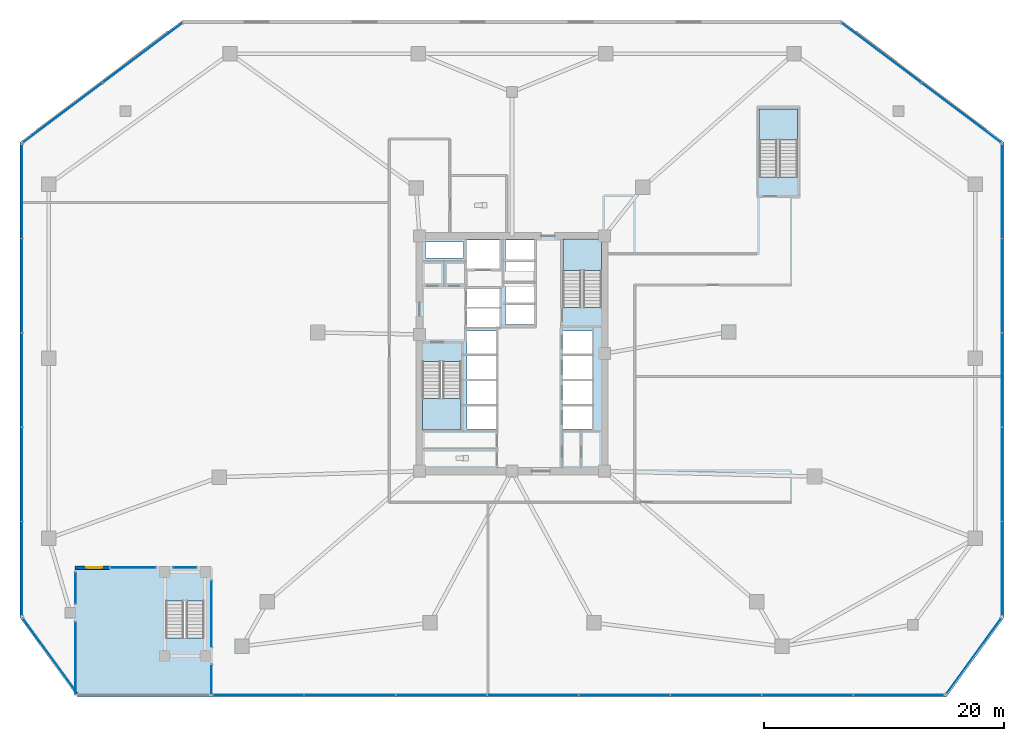
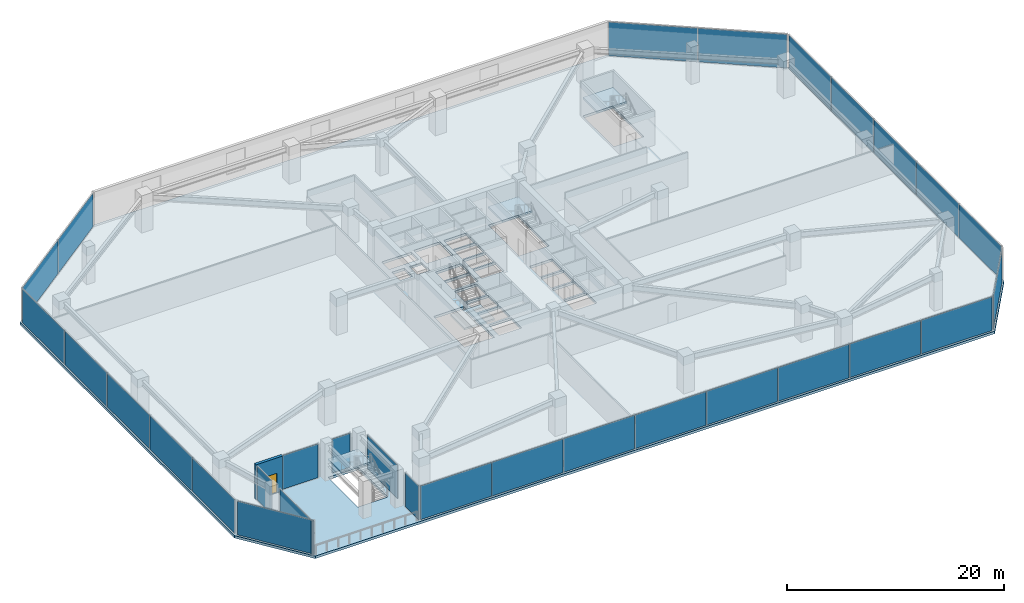
# One storey, part 10 of 21: 30 plates, 5 slabs, 1 door, 1 wall, 1 opening, 17 elements without a shape of their own.
"""IFC4 building model written with IfcOpenShell, lengths in metres."""

from ifc_helpers import new_model, si_unit, direction, frame, frame_2d, origin, origin_2d, place, context, subcontext, project, spatial, polyline, rectangle, outline, extrude, material, layer, layer_set, type_object, element, fill, aggregate, save


model = new_model("IFC4")

# Units and contexts
model_context = context("Model", 3, precision=1e-05, world=origin(), true_north=direction((0.0, 1.0)))
body_context = subcontext(model_context, "Body", "Model", "MODEL_VIEW")
ifc_project = project(units=[si_unit("LENGTHUNIT", "METRE"), si_unit("AREAUNIT", "SQUARE_METRE"), si_unit("VOLUMEUNIT", "CUBIC_METRE"), si_unit("PLANEANGLEUNIT", "RADIAN"), si_unit("MASSUNIT", "GRAM", prefix="KILO")], contexts=[model_context])

# Site, building, storey
site_placement = place(None, origin())
site = spatial("IfcSite", under=ifc_project, at=site_placement, CompositionType="ELEMENT")
building_placement = place(site_placement, origin())
building = spatial("IfcBuilding", under=site, at=building_placement, Name="Savorim Split Tower", CompositionType="ELEMENT")
storey_placement = place(building_placement, frame((0.0, 0.0, 9.199951171875)))
storey = spatial("IfcBuildingStorey", under=building, at=storey_placement, Name="L02", CompositionType="ELEMENT", Elevation=9.199951171875)

# Curtain wall, plate
ifc_material_1 = material(Name="Dark Ceramic-Fritted Insulated Glass", Category="glass")
curtain_wall_type = type_object("IfcCurtainWallType", Name="CW-POD-GLZ", PredefinedType="NOTDEFINED", material=ifc_material_1)
curtain_wall_1_placement = place(storey_placement, origin())
curtain_wall_1 = element("IfcCurtainWall", 1, at=curtain_wall_1_placement, inside=storey, type_object=curtain_wall_type, Name="L02 Curtain Wall CW-L02-E01S1", PredefinedType="NOTDEFINED")
ifc_material_2 = material(Name="Low-E Operable Double Glazing", Category="glass")
ifc_layer_1 = layer(ifc_material_2, 0.031982421875)
ifc_layer_set_1 = layer_set([ifc_layer_1], Name="CWP-POD-32")
plate_type = type_object("IfcPlateType", Name="CWP-POD-32", PredefinedType="CURTAIN_PANEL", material=ifc_layer_set_1)
plate_1_placement = place(storey_placement, frame((-36.360107421875, -24.965087890625, 0.06005859375), z_axis=(0.0, 0.0, 1.0), x_axis=(0.0, 1.0, 0.0)))
plate_1 = element("IfcPlate", 2, at=plate_1_placement, type_object=plate_type, Name="CW-01 panel 1.1", PredefinedType="CURTAIN_PANEL", context=body_context, shape_type="SweptSolid", body=[
    extrude(rectangle(XDim=6.050048828125, YDim=0.031982421875, at=origin_2d()), origin(), (0.0, 0.0, 1.0), 3.800048828125),
])
aggregate(curtain_wall_1, [plate_1])

curtain_wall_2_placement = place(storey_placement, origin())
curtain_wall_2 = element("IfcCurtainWall", 3, at=curtain_wall_2_placement, inside=storey, type_object=curtain_wall_type, Name="L02 Curtain Wall CW-L02-E01S2", PredefinedType="NOTDEFINED")
plate_2_placement = place(storey_placement, frame((-36.360107421875, -19.135009765625, 0.06005859375), z_axis=(0.0, 0.0, 1.0), x_axis=(0.0, 1.0, 0.0)))
plate_2 = element("IfcPlate", 4, at=plate_2_placement, type_object=plate_type, Name="CW-01 panel 1.1", PredefinedType="CURTAIN_PANEL", context=body_context, shape_type="SweptSolid", body=[
    extrude(rectangle(XDim=2.64990234375, YDim=0.031982421875, at=origin_2d()), origin(), (0.0, 0.0, 1.0), 3.800048828125),
])
aggregate(curtain_wall_2, [plate_2])

curtain_wall_3_placement = place(storey_placement, origin())
curtain_wall_3 = element("IfcCurtainWall", 5, at=curtain_wall_3_placement, inside=storey, type_object=curtain_wall_type, Name="L02 Curtain Wall CW-L02-E02S1", PredefinedType="NOTDEFINED")
plate_3_placement = place(storey_placement, frame((-31.590087890625, -17.43994140625, 0.06005859375), z_axis=(0.0, 0.0, 1.0), x_axis=(1.0, 0.0, 0.0)))
plate_3 = element("IfcPlate", 6, at=plate_3_placement, type_object=plate_type, Name="CW-01 panel 1.1", PredefinedType="CURTAIN_PANEL", context=body_context, shape_type="SweptSolid", body=[
    extrude(rectangle(XDim=3.800048828125, YDim=0.031982421875, at=origin_2d()), origin(), (0.0, 0.0, 1.0), 3.800048828125),
])
aggregate(curtain_wall_3, [plate_3])

curtain_wall_4_placement = place(storey_placement, origin())
curtain_wall_4 = element("IfcCurtainWall", 7, at=curtain_wall_4_placement, inside=storey, type_object=curtain_wall_type, Name="L02 Curtain Wall CW-L02-E02S2", PredefinedType="NOTDEFINED")
plate_4_placement = place(storey_placement, frame((-27.25, -17.43994140625, 0.06005859375), z_axis=(0.0, 0.0, 1.0), x_axis=(1.0, 0.0, 0.0)))
plate_4 = element("IfcPlate", 8, at=plate_4_placement, type_object=plate_type, Name="CW-01 panel 1.1", PredefinedType="CURTAIN_PANEL", context=body_context, shape_type="SweptSolid", body=[
    extrude(rectangle(XDim=1.919921875, YDim=0.031982421875, at=origin_2d()), origin(), (0.0, 0.0, 1.0), 3.800048828125),
])
aggregate(curtain_wall_4, [plate_4])

curtain_wall_5_placement = place(storey_placement, origin())
curtain_wall_5 = element("IfcCurtainWall", 9, at=curtain_wall_5_placement, inside=storey, type_object=curtain_wall_type, Name="L02 Curtain Wall CW-L02-E03S1", PredefinedType="NOTDEFINED")
plate_5_placement = place(storey_placement, frame((-25.0400390625, -21.300048828125, 0.06005859375), z_axis=(0.0, 0.0, 1.0), x_axis=(0.0, -1.0, 0.0)))
plate_5 = element("IfcPlate", 10, at=plate_5_placement, type_object=plate_type, Name="CW-01 panel 1.1", PredefinedType="CURTAIN_PANEL", context=body_context, shape_type="SweptSolid", body=[
    extrude(rectangle(XDim=5.52001953125, YDim=0.031982421875, at=origin_2d()), origin(), (0.0, 0.0, 1.0), 3.800048828125),
])
aggregate(curtain_wall_5, [plate_5])

curtain_wall_6_placement = place(storey_placement, origin())
curtain_wall_6 = element("IfcCurtainWall", 11, at=curtain_wall_6_placement, inside=storey, type_object=curtain_wall_type, Name="L02 Curtain Wall CW-L02-E03S2", PredefinedType="NOTDEFINED")
plate_6_placement = place(storey_placement, frame((-25.0400390625, -26.764892578125, 0.06005859375), z_axis=(0.0, 0.0, 1.0), x_axis=(0.0, -1.0, 0.0)))
plate_6 = element("IfcPlate", 12, at=plate_6_placement, type_object=plate_type, Name="CW-01 panel 1.1", PredefinedType="CURTAIN_PANEL", context=body_context, shape_type="SweptSolid", body=[
    extrude(rectangle(XDim=2.449951171875, YDim=0.031982421875, at=origin_2d()), origin(), (0.0, 0.0, 1.0), 3.800048828125),
])
aggregate(curtain_wall_6, [plate_6])

# Curtain wall, plates
curtain_wall_7_placement = place(storey_placement, origin())
curtain_wall_7 = element("IfcCurtainWall", 13, at=curtain_wall_7_placement, inside=storey, type_object=curtain_wall_type, Name="L02 Curtain Wall CW-L02-E04", PredefinedType="NOTDEFINED")
plate_7_placement = place(storey_placement, frame((-21.1240234375, -28.0400390625, 0.06005859375), z_axis=(0.0, 0.0, 1.0), x_axis=(1.0, 0.0, 0.0)))
plate_7 = element("IfcPlate", 14, at=plate_7_placement, type_object=plate_type, Name="CW-01 panel 1.1", PredefinedType="CURTAIN_PANEL", context=body_context, shape_type="SweptSolid", body=[
    extrude(rectangle(XDim=7.52197265625, YDim=0.031982421875, at=origin_2d()), origin(), (0.0, 0.0, 1.0), 3.800048828125),
])
plate_8_placement = place(storey_placement, frame((-13.5146484375, -28.0400390625, 0.06005859375), z_axis=(0.0, 0.0, 1.0), x_axis=(1.0, 0.0, 0.0)))
plate_8 = element("IfcPlate", 15, at=plate_8_placement, type_object=plate_type, Name="CW-01 panel 2.1", PredefinedType="CURTAIN_PANEL", context=body_context, shape_type="SweptSolid", body=[
    extrude(rectangle(XDim=7.556884765625, YDim=0.031982421875, at=origin_2d()), origin(), (0.0, 0.0, 1.0), 3.800048828125),
])
plate_9_placement = place(storey_placement, frame((-5.8876953125, -28.0400390625, 0.06005859375), z_axis=(0.0, 0.0, 1.0), x_axis=(1.0, 0.0, 0.0)))
plate_9 = element("IfcPlate", 16, at=plate_9_placement, type_object=plate_type, Name="CW-01 panel 3.1", PredefinedType="CURTAIN_PANEL", context=body_context, shape_type="SweptSolid", body=[
    extrude(rectangle(XDim=7.556884765625, YDim=0.031982421875, at=origin_2d()), origin(), (0.0, 0.0, 1.0), 3.800048828125),
])
plate_10_placement = place(storey_placement, frame((1.739013671875, -28.0400390625, 0.06005859375), z_axis=(0.0, 0.0, 1.0), x_axis=(1.0, 0.0, 0.0)))
plate_10 = element("IfcPlate", 17, at=plate_10_placement, type_object=plate_type, Name="CW-01 panel 4.1", PredefinedType="CURTAIN_PANEL", context=body_context, shape_type="SweptSolid", body=[
    extrude(rectangle(XDim=7.556884765625, YDim=0.031982421875, at=origin_2d()), origin(), (0.0, 0.0, 1.0), 3.800048828125),
])
plate_11_placement = place(storey_placement, frame((9.365966796875, -28.0400390625, 0.06005859375), z_axis=(0.0, 0.0, 1.0), x_axis=(1.0, 0.0, 0.0)))
plate_11 = element("IfcPlate", 18, at=plate_11_placement, type_object=plate_type, Name="CW-01 panel 5.1", PredefinedType="CURTAIN_PANEL", context=body_context, shape_type="SweptSolid", body=[
    extrude(rectangle(XDim=7.556884765625, YDim=0.031982421875, at=origin_2d()), origin(), (0.0, 0.0, 1.0), 3.800048828125),
])
plate_12_placement = place(storey_placement, frame((16.992919921875, -28.0400390625, 0.06005859375), z_axis=(0.0, 0.0, 1.0), x_axis=(1.0, 0.0, 0.0)))
plate_12 = element("IfcPlate", 19, at=plate_12_placement, type_object=plate_type, Name="CW-01 panel 6.1", PredefinedType="CURTAIN_PANEL", context=body_context, shape_type="SweptSolid", body=[
    extrude(rectangle(XDim=7.556884765625, YDim=0.031982421875, at=origin_2d()), origin(), (0.0, 0.0, 1.0), 3.800048828125),
])
plate_13_placement = place(storey_placement, frame((24.61962890625, -28.0400390625, 0.06005859375), z_axis=(0.0, 0.0, 1.0), x_axis=(1.0, 0.0, 0.0)))
plate_13 = element("IfcPlate", 20, at=plate_13_placement, type_object=plate_type, Name="CW-01 panel 7.1", PredefinedType="CURTAIN_PANEL", context=body_context, shape_type="SweptSolid", body=[
    extrude(rectangle(XDim=7.556884765625, YDim=0.031982421875, at=origin_2d()), origin(), (0.0, 0.0, 1.0), 3.800048828125),
])
plate_14_placement = place(storey_placement, frame((32.22900390625, -28.0400390625, 0.06005859375), z_axis=(0.0, 0.0, 1.0), x_axis=(1.0, 0.0, 0.0)))
plate_14 = element("IfcPlate", 21, at=plate_14_placement, type_object=plate_type, Name="CW-01 panel 8.1", PredefinedType="CURTAIN_PANEL", context=body_context, shape_type="SweptSolid", body=[
    extrude(rectangle(XDim=7.52197265625, YDim=0.031982421875, at=origin_2d()), origin(), (0.0, 0.0, 1.0), 3.800048828125),
])
aggregate(curtain_wall_7, [plate_7, plate_8, plate_9, plate_10, plate_11, plate_12, plate_13, plate_14])

# Curtain wall, plate
curtain_wall_8_placement = place(storey_placement, origin())
curtain_wall_8 = element("IfcCurtainWall", 22, at=curtain_wall_8_placement, inside=storey, type_object=curtain_wall_type, Name="L02 Curtain Wall CW-L02-E05", PredefinedType="NOTDEFINED")
plate_15_placement = place(storey_placement, frame((38.470703125, -24.805908203125, 0.06005859375), z_axis=(0.0, 0.0, 1.0), x_axis=(0.588176224478, 0.808732792063, 0.0)))
plate_15 = element("IfcPlate", 23, at=plate_15_placement, type_object=plate_type, Name="CW-01 panel 1.1", PredefinedType="CURTAIN_PANEL", context=body_context, shape_type="SweptSolid", body=[
    extrude(rectangle(XDim=7.740966796875, YDim=0.031982421875, at=origin_2d()), origin(), (0.0, 0.0, 1.0), 3.800048828125),
])
aggregate(curtain_wall_8, [plate_15])

# Curtain wall, plates
curtain_wall_9_placement = place(storey_placement, origin())
curtain_wall_9 = element("IfcCurtainWall", 24, at=curtain_wall_9_placement, inside=storey, type_object=curtain_wall_type, Name="L02 Curtain Wall CW-L02-E06", PredefinedType="NOTDEFINED")
plate_16_placement = place(storey_placement, frame((40.840087890625, -17.510498046875, 0.06005859375), z_axis=(0.0, 0.0, 1.0), x_axis=(0.0, 1.0, 0.0)))
plate_16 = element("IfcPlate", 25, at=plate_16_placement, type_object=plate_type, Name="CW-01 panel 1.1", PredefinedType="CURTAIN_PANEL", context=body_context, shape_type="SweptSolid", body=[
    extrude(rectangle(XDim=7.759033203125, YDim=0.031982421875, at=origin_2d()), origin(), (0.0, 0.0, 1.0), 3.800048828125),
])
plate_17_placement = place(storey_placement, frame((40.840087890625, -9.6640625, 0.06005859375), z_axis=(0.0, 0.0, 1.0), x_axis=(0.0, 1.0, 0.0)))
plate_17 = element("IfcPlate", 26, at=plate_17_placement, type_object=plate_type, Name="CW-01 panel 2.1", PredefinedType="CURTAIN_PANEL", context=body_context, shape_type="SweptSolid", body=[
    extrude(rectangle(XDim=7.7939453125, YDim=0.031982421875, at=origin_2d()), origin(), (0.0, 0.0, 1.0), 3.800048828125),
])
plate_18_placement = place(storey_placement, frame((40.840087890625, -1.800048828125, 0.06005859375), z_axis=(0.0, 0.0, 1.0), x_axis=(0.0, 1.0, 0.0)))
plate_18 = element("IfcPlate", 27, at=plate_18_placement, type_object=plate_type, Name="CW-01 panel 3.1", PredefinedType="CURTAIN_PANEL", context=body_context, shape_type="SweptSolid", body=[
    extrude(rectangle(XDim=7.7939453125, YDim=0.031982421875, at=origin_2d()), origin(), (0.0, 0.0, 1.0), 3.800048828125),
])
plate_19_placement = place(storey_placement, frame((40.840087890625, 6.06396484375, 0.06005859375), z_axis=(0.0, 0.0, 1.0), x_axis=(0.0, 1.0, 0.0)))
plate_19 = element("IfcPlate", 28, at=plate_19_placement, type_object=plate_type, Name="CW-01 panel 4.1", PredefinedType="CURTAIN_PANEL", context=body_context, shape_type="SweptSolid", body=[
    extrude(rectangle(XDim=7.7939453125, YDim=0.031982421875, at=origin_2d()), origin(), (0.0, 0.0, 1.0), 3.800048828125),
])
plate_20_placement = place(storey_placement, frame((40.840087890625, 13.910400390625, 0.06005859375), z_axis=(0.0, 0.0, 1.0), x_axis=(0.0, 1.0, 0.0)))
plate_20 = element("IfcPlate", 29, at=plate_20_placement, type_object=plate_type, Name="CW-01 panel 5.1", PredefinedType="CURTAIN_PANEL", context=body_context, shape_type="SweptSolid", body=[
    extrude(rectangle(XDim=7.759033203125, YDim=0.031982421875, at=origin_2d()), origin(), (0.0, 0.0, 1.0), 3.800048828125),
])
aggregate(curtain_wall_9, [plate_16, plate_17, plate_18, plate_19, plate_20])

curtain_wall_10_placement = place(storey_placement, origin())
curtain_wall_10 = element("IfcCurtainWall", 30, at=curtain_wall_10_placement, inside=storey, type_object=curtain_wall_type, Name="L02 Curtain Wall CW-L02-E07", PredefinedType="NOTDEFINED")
plate_21_placement = place(storey_placement, frame((37.43408203125, 20.474609375, 0.06005859375), z_axis=(0.0, 0.0, 1.0), x_axis=(-0.799999999998, 0.600000000002, 0.0)))
plate_21 = element("IfcPlate", 31, at=plate_21_placement, type_object=plate_type, Name="CW-01 panel 1.1", PredefinedType="CURTAIN_PANEL", context=body_context, shape_type="SweptSolid", body=[
    extrude(rectangle(XDim=8.2548828125, YDim=0.031982421875, at=origin_2d()), origin(), (0.0, 0.0, 1.0), 3.800048828125),
])
plate_22_placement = place(storey_placement, frame((30.77392578125, 25.469482421875, 0.06005859375), z_axis=(0.0, 0.0, 1.0), x_axis=(-0.799999999998, 0.600000000002, 0.0)))
plate_22 = element("IfcPlate", 32, at=plate_22_placement, type_object=plate_type, Name="CW-01 panel 2.1", PredefinedType="CURTAIN_PANEL", context=body_context, shape_type="SweptSolid", body=[
    extrude(rectangle(XDim=8.2548828125, YDim=0.031982421875, at=origin_2d()), origin(), (0.0, 0.0, 1.0), 3.800048828125),
])
aggregate(curtain_wall_10, [plate_21, plate_22])

curtain_wall_11_placement = place(storey_placement, origin())
curtain_wall_11 = element("IfcCurtainWall", 33, at=curtain_wall_11_placement, inside=storey, type_object=curtain_wall_type, Name="L02 Curtain Wall CW-L02-E09", PredefinedType="NOTDEFINED")
plate_23_placement = place(storey_placement, frame((-30.77392578125, 25.469482421875, 0.06005859375), z_axis=(0.0, 0.0, 1.0), x_axis=(-0.799999999998, -0.600000000002, 0.0)))
plate_23 = element("IfcPlate", 34, at=plate_23_placement, type_object=plate_type, Name="CW-01 panel 1.1", PredefinedType="CURTAIN_PANEL", context=body_context, shape_type="SweptSolid", body=[
    extrude(rectangle(XDim=8.2548828125, YDim=0.031982421875, at=origin_2d()), origin(), (0.0, 0.0, 1.0), 3.800048828125),
])
plate_24_placement = place(storey_placement, frame((-37.43408203125, 20.474609375, 0.06005859375), z_axis=(0.0, 0.0, 1.0), x_axis=(-0.799999999998, -0.600000000002, 0.0)))
plate_24 = element("IfcPlate", 35, at=plate_24_placement, type_object=plate_type, Name="CW-01 panel 2.1", PredefinedType="CURTAIN_PANEL", context=body_context, shape_type="SweptSolid", body=[
    extrude(rectangle(XDim=8.2548828125, YDim=0.031982421875, at=origin_2d()), origin(), (0.0, 0.0, 1.0), 3.800048828125),
])
aggregate(curtain_wall_11, [plate_23, plate_24])

curtain_wall_12_placement = place(storey_placement, origin())
curtain_wall_12 = element("IfcCurtainWall", 36, at=curtain_wall_12_placement, inside=storey, type_object=curtain_wall_type, Name="L02 Curtain Wall CW-L02-E10", PredefinedType="NOTDEFINED")
plate_25_placement = place(storey_placement, frame((-40.840087890625, 13.910400390625, 0.06005859375), z_axis=(0.0, 0.0, 1.0), x_axis=(0.0, -1.0, 0.0)))
plate_25 = element("IfcPlate", 37, at=plate_25_placement, type_object=plate_type, Name="CW-01 panel 1.1", PredefinedType="CURTAIN_PANEL", context=body_context, shape_type="SweptSolid", body=[
    extrude(rectangle(XDim=7.759033203125, YDim=0.031982421875, at=origin_2d()), origin(), (0.0, 0.0, 1.0), 3.800048828125),
])
plate_26_placement = place(storey_placement, frame((-40.840087890625, 6.06396484375, 0.06005859375), z_axis=(0.0, 0.0, 1.0), x_axis=(0.0, -1.0, 0.0)))
plate_26 = element("IfcPlate", 38, at=plate_26_placement, type_object=plate_type, Name="CW-01 panel 2.1", PredefinedType="CURTAIN_PANEL", context=body_context, shape_type="SweptSolid", body=[
    extrude(rectangle(XDim=7.7939453125, YDim=0.031982421875, at=origin_2d()), origin(), (0.0, 0.0, 1.0), 3.800048828125),
])
plate_27_placement = place(storey_placement, frame((-40.840087890625, -1.800048828125, 0.06005859375), z_axis=(0.0, 0.0, 1.0), x_axis=(0.0, -1.0, 0.0)))
plate_27 = element("IfcPlate", 39, at=plate_27_placement, type_object=plate_type, Name="CW-01 panel 3.1", PredefinedType="CURTAIN_PANEL", context=body_context, shape_type="SweptSolid", body=[
    extrude(rectangle(XDim=7.7939453125, YDim=0.031982421875, at=origin_2d()), origin(), (0.0, 0.0, 1.0), 3.800048828125),
])
plate_28_placement = place(storey_placement, frame((-40.840087890625, -9.6640625, 0.06005859375), z_axis=(0.0, 0.0, 1.0), x_axis=(0.0, -1.0, 0.0)))
plate_28 = element("IfcPlate", 40, at=plate_28_placement, type_object=plate_type, Name="CW-01 panel 4.1", PredefinedType="CURTAIN_PANEL", context=body_context, shape_type="SweptSolid", body=[
    extrude(rectangle(XDim=7.7939453125, YDim=0.031982421875, at=origin_2d()), origin(), (0.0, 0.0, 1.0), 3.800048828125),
])
plate_29_placement = place(storey_placement, frame((-40.840087890625, -17.510498046875, 0.06005859375), z_axis=(0.0, 0.0, 1.0), x_axis=(0.0, -1.0, 0.0)))
plate_29 = element("IfcPlate", 41, at=plate_29_placement, type_object=plate_type, Name="CW-01 panel 5.1", PredefinedType="CURTAIN_PANEL", context=body_context, shape_type="SweptSolid", body=[
    extrude(rectangle(XDim=7.759033203125, YDim=0.031982421875, at=origin_2d()), origin(), (0.0, 0.0, 1.0), 3.800048828125),
])
aggregate(curtain_wall_12, [plate_25, plate_26, plate_27, plate_28, plate_29])

# Curtain wall, plate
curtain_wall_13_placement = place(storey_placement, origin())
curtain_wall_13 = element("IfcCurtainWall", 42, at=curtain_wall_13_placement, inside=storey, type_object=curtain_wall_type, Name="L02 Curtain Wall CW-L02-E11", PredefinedType="NOTDEFINED")
plate_30_placement = place(storey_placement, frame((-38.470703125, -24.805908203125, 0.06005859375), z_axis=(0.0, 0.0, 1.0), x_axis=(0.588176224478, -0.808732792063, 0.0)))
plate_30 = element("IfcPlate", 43, at=plate_30_placement, type_object=plate_type, Name="CW-01 panel 1.1", PredefinedType="CURTAIN_PANEL", context=body_context, shape_type="SweptSolid", body=[
    extrude(rectangle(XDim=7.740966796875, YDim=0.031982421875, at=origin_2d()), origin(), (0.0, 0.0, 1.0), 3.800048828125),
])
aggregate(curtain_wall_13, [plate_30])

# Stair, slab
ifc_material_3 = material(Name="Concrete C50/60", Category="concrete")
stair_type = type_object("IfcStairType", Name="STR-DOG-4200", PredefinedType="HALF_TURN_STAIR", material=ifc_material_3)
stair_1_placement = place(storey_placement, origin())
stair_1 = element("IfcStair", 44, at=stair_1_placement, inside=storey, type_object=stair_type, Name="L02 Core Protected Exit Stair ST-1", PredefinedType="HALF_TURN_STAIR")
ifc_layer_2 = layer(ifc_material_3, 0.199951171875)
ifc_layer_set_2 = layer_set([ifc_layer_2], Name="SLB-LND-200")
slab_type_1 = type_object("IfcSlabType", Name="SLB-LND-200", PredefinedType="LANDING", material=ifc_layer_set_2)
slab_1_placement = place(storey_placement, frame((0.0, 0.0, 1.900146484375)))
slab_1 = element("IfcSlab", 45, at=slab_1_placement, type_object=slab_type_1, Name="ST-1 landing 1", PredefinedType="LANDING", context=body_context, shape_type="SweptSolid", body=[
    extrude(outline(polyline([(-7.449951171875, -3.330078125), (-7.449951171875, -5.949951171875), (-4.25, -5.949951171875), (-4.25, -3.330078125), (-7.449951171875, -3.330078125)])), origin(), (0.0, 0.0, 1.0), 0.199951171875),
])
aggregate(stair_1, [slab_1])

stair_2_placement = place(storey_placement, origin())
stair_2 = element("IfcStair", 46, at=stair_2_placement, inside=storey, type_object=stair_type, Name="L02 Core Protected Exit Stair ST-2", PredefinedType="HALF_TURN_STAIR")
slab_2_placement = place(storey_placement, frame((0.0, 0.0, 1.900146484375)))
slab_2 = element("IfcSlab", 47, at=slab_2_placement, type_object=slab_type_1, Name="ST-2 landing 1", PredefinedType="LANDING", context=body_context, shape_type="SweptSolid", body=[
    extrude(outline(polyline([(7.449951171875, 7.330078125), (7.449951171875, 9.949951171875), (4.25, 9.949951171875), (4.25, 7.330078125), (7.449951171875, 7.330078125)])), origin(), (0.0, 0.0, 1.0), 0.199951171875),
])
aggregate(stair_2, [slab_2])

stair_3_placement = place(storey_placement, origin())
stair_3 = element("IfcStair", 48, at=stair_3_placement, inside=storey, type_object=stair_type, Name="L02 Podium Protected Garden Exit Stair ST-3", PredefinedType="HALF_TURN_STAIR")
slab_3_placement = place(storey_placement, frame((0.0, 0.0, 1.900146484375)))
slab_3 = element("IfcSlab", 49, at=slab_3_placement, type_object=slab_type_1, Name="ST-3 landing 1", PredefinedType="LANDING", context=body_context, shape_type="SweptSolid", body=[
    extrude(outline(polyline([(23.800048828125, 18.179931640625), (23.800048828125, 20.800048828125), (20.60009765625, 20.800048828125), (20.60009765625, 18.179931640625), (23.800048828125, 18.179931640625)])), origin(), (0.0, 0.0, 1.0), 0.199951171875),
])
aggregate(stair_3, [slab_3])

stair_4_placement = place(storey_placement, origin())
stair_4 = element("IfcStair", 50, at=stair_4_placement, inside=storey, type_object=stair_type, Name="L02 Exterior Stepped Public Garden Stair ST-GDN", PredefinedType="HALF_TURN_STAIR")
slab_4_placement = place(storey_placement, frame((0.0, 0.0, 1.900146484375)))
slab_4 = element("IfcSlab", 51, at=slab_4_placement, type_object=slab_type_1, Name="ST-GDN landing 1", PredefinedType="LANDING", context=body_context, shape_type="SweptSolid", body=[
    extrude(outline(polyline([(-25.64990234375, -20.219970703125), (-25.64990234375, -17.800048828125), (-28.85009765625, -17.800048828125), (-28.85009765625, -20.219970703125), (-25.64990234375, -20.219970703125)])), origin(), (0.0, 0.0, 1.0), 0.199951171875),
])
aggregate(stair_4, [slab_4])

# Slab
ifc_layer_3 = layer(ifc_material_3, 0.280029296875)
ifc_layer_set_3 = layer_set([ifc_layer_3], Name="SLB-POD-280")
slab_type_2 = type_object("IfcSlabType", Name="SLB-POD-280", PredefinedType="FLOOR", material=ifc_layer_set_3)
slab_5_placement = place(storey_placement, frame((0.0, 0.0, -0.280029296875)))
element("IfcSlab", 52, at=slab_5_placement, inside=storey, type_object=slab_type_2, Name="L02 Podium Structural Floor Slab", PredefinedType="FLOOR", context=body_context, shape_type="SweptSolid", body=[
    extrude(outline(polyline([(-36.199951171875, -28.199951171875), (36.199951171875, -28.199951171875), (41.0, -21.60009765625), (41.0, 18.0), (27.39990234375, 28.199951171875), (-27.39990234375, 28.199951171875), (-41.0, 18.0), (-41.0, -21.60009765625), (-36.199951171875, -28.199951171875)]), holes=[polyline([(-7.449951171875, -0.25390625), (-7.449951171875, -5.949951171875), (-4.25, -5.949951171875), (-4.25, -0.25390625), (-7.449951171875, -0.25390625)]), polyline([(7.449951171875, 4.25390625), (7.449951171875, 9.949951171875), (4.25, 9.949951171875), (4.25, 4.25390625), (7.449951171875, 4.25390625)]), polyline([(23.800048828125, 15.10400390625), (23.800048828125, 20.800048828125), (20.60009765625, 20.800048828125), (20.60009765625, 15.10400390625), (23.800048828125, 15.10400390625)]), polyline([(-25.64990234375, -23.2958984375), (-25.64990234375, -17.800048828125), (-28.85009765625, -17.800048828125), (-28.85009765625, -23.2958984375), (-25.64990234375, -23.2958984375)]), polyline([(4.25, -5.89990234375), (6.64990234375, -5.89990234375), (6.64990234375, -4.0), (4.25, -4.0), (4.25, -5.89990234375)]), polyline([(4.25, -3.800048828125), (6.64990234375, -3.800048828125), (6.64990234375, -1.89990234375), (4.25, -1.89990234375), (4.25, -3.800048828125)]), polyline([(4.25, -1.699951171875), (6.64990234375, -1.699951171875), (6.64990234375, 0.199951171875), (4.25, 0.199951171875), (4.25, -1.699951171875)]), polyline([(4.25, 0.39990234375), (6.64990234375, 0.39990234375), (6.64990234375, 2.300048828125), (4.25, 2.300048828125), (4.25, 0.39990234375)]), polyline([(-3.75, -5.89990234375), (-1.35009765625, -5.89990234375), (-1.35009765625, -4.0), (-3.75, -4.0), (-3.75, -5.89990234375)]), polyline([(-3.75, -3.800048828125), (-1.35009765625, -3.800048828125), (-1.35009765625, -1.89990234375), (-3.75, -1.89990234375), (-3.75, -3.800048828125)]), polyline([(-3.75, -1.699951171875), (-1.35009765625, -1.699951171875), (-1.35009765625, 0.199951171875), (-3.75, 0.199951171875), (-3.75, -1.699951171875)]), polyline([(-3.75, 0.39990234375), (-1.35009765625, 0.39990234375), (-1.35009765625, 2.300048828125), (-3.75, 2.300048828125), (-3.75, 0.39990234375)]), polyline([(-0.550048828125, 2.830078125), (1.85009765625, 2.830078125), (1.85009765625, 4.469970703125), (-0.550048828125, 4.469970703125), (-0.550048828125, 2.830078125)]), polyline([(-0.550048828125, 4.6298828125), (1.85009765625, 4.6298828125), (1.85009765625, 6.27001953125), (-0.550048828125, 6.27001953125), (-0.550048828125, 4.6298828125)]), polyline([(-0.550048828125, 6.429931640625), (1.85009765625, 6.429931640625), (1.85009765625, 8.070068359375), (-0.550048828125, 8.070068359375), (-0.550048828125, 6.429931640625)]), polyline([(-0.550048828125, 8.22998046875), (1.85009765625, 8.22998046875), (1.85009765625, 9.8701171875), (-0.550048828125, 9.8701171875), (-0.550048828125, 8.22998046875)]), polyline([(-3.75, 2.60009765625), (-1.050048828125, 2.60009765625), (-1.050048828125, 4.159912109375), (-3.75, 4.159912109375), (-3.75, 2.60009765625)]), polyline([(-3.75, 4.280029296875), (-1.050048828125, 4.280029296875), (-1.050048828125, 5.840087890625), (-3.75, 5.840087890625), (-3.75, 4.280029296875)]), polyline([(-3.75, 7.449951171875), (-0.949951171875, 7.449951171875), (-0.949951171875, 9.85009765625), (-3.75, 9.85009765625), (-3.75, 7.449951171875)]), polyline([(-7.219970703125, 6.320068359375), (-5.919921875, 6.320068359375), (-5.919921875, 7.820068359375), (-7.219970703125, 7.820068359375), (-7.219970703125, 6.320068359375)]), polyline([(-5.3798828125, 6.320068359375), (-4.050048828125, 6.320068359375), (-4.050048828125, 7.820068359375), (-5.3798828125, 7.820068359375), (-5.3798828125, 6.320068359375)]), polyline([(-7.219970703125, 8.360107421875), (-4.050048828125, 8.360107421875), (-4.050048828125, 9.719970703125), (-7.219970703125, 9.719970703125), (-7.219970703125, 8.360107421875)])]), origin(), (0.0, 0.0, 1.0), 0.280029296875),
])

# Wall, opening, door
ifc_layer_4 = layer(ifc_material_3, 0.300048828125)
ifc_layer_set_4 = layer_set([ifc_layer_4], Name="WAL-EXT-POD300")
wall_type = type_object("IfcWallType", Name="WAL-EXT-POD300", PredefinedType="SOLIDWALL", material=ifc_layer_set_4)
wall_placement = place(storey_placement, frame((-33.56005859375, -17.43994140625, 0.0), z_axis=(0.0, 0.0, 1.0), x_axis=(-1.0, 0.0, 0.0)))
wall = element("IfcWall", 53, at=wall_placement, inside=storey, type_object=wall_type, Name="L02 Stepped Garden Stair Court Door Pier", PredefinedType="SOLIDWALL", context=body_context, shape_type="SweptSolid", body=[
    extrude(rectangle(XDim=2.83984375, YDim=0.300048828125, at=frame_2d((1.419921875, 0.0))), origin(), (0.0, 0.0, 1.0), 3.920166015625),
])
opening_placement = place(wall_placement, frame((0.60009765625, 0.0, 0.0)))
opening = element("IfcOpeningElement", 54, at=opening_placement, cuts=wall, Name="Opening DG-01", PredefinedType="OPENING", context=body_context, shape_type="SweptSolid", body=[
    extrude(rectangle(XDim=1.300048828125, YDim=2.199951171875, at=frame_2d((0.64990234375, 1.10009765625))), frame((0.0, 0.159912109375, 0.0), z_axis=(0.0, -1.0, 0.0), x_axis=(1.0, 0.0, 0.0)), (0.0, 0.0, 1.0), 0.320068359375),
])
ifc_material_4 = material(Name="Charcoal Anodised Aluminium", Category="aluminium")
door_type = type_object("IfcDoorType", Name="DOR-GDN-1300", OperationType="NOTDEFINED", PredefinedType="DOOR", material=ifc_material_4)
door_placement = place(opening_placement, origin())
door = element("IfcDoor", 55, at=door_placement, inside=storey, type_object=door_type, Name="DOR-L02-GDNCRT - L02 Exterior Garden Stair Terrace Door", OperationType="SINGLE_SWING_RIGHT", OverallHeight=2.199951171875, OverallWidth=1.300048828125, PredefinedType="DOOR", context=body_context, shape_type="SweptSolid", body=[
    extrude(rectangle(XDim=1.300048828125, YDim=2.199951171875, at=frame_2d((0.64990234375, 1.10009765625))), frame((0.0, 0.02490234375, 0.0), z_axis=(0.0, -1.0, 0.0), x_axis=(1.0, 0.0, 0.0)), (0.0, 0.0, 1.0), 0.050048828125),
])
fill(opening, door)

save(model, "model.ifc")
